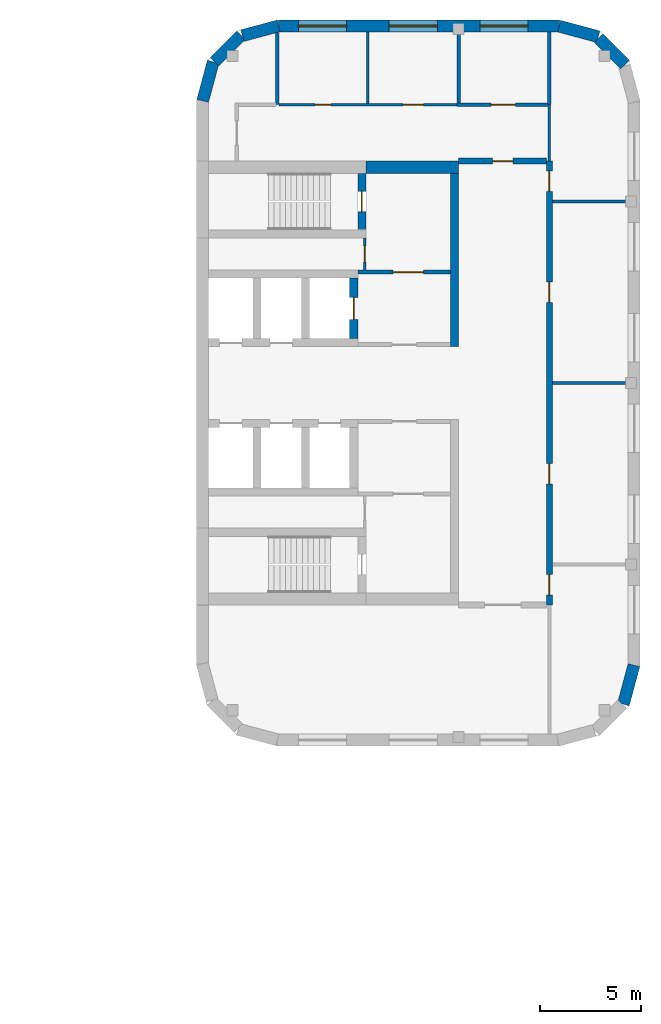
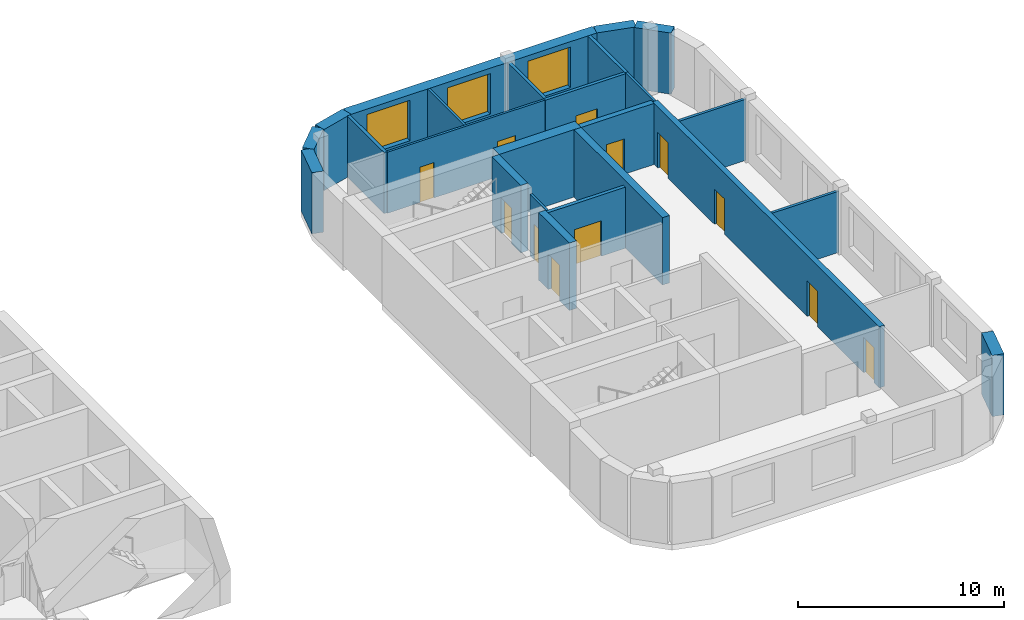
# One storey, part 8 of 13: 24 walls, 12 doors, 3 windows, 15 openings.
"""IFC4 building model written with IfcOpenShell, lengths in metres."""

from ifc_helpers import new_model, si_unit, direction, frame, frame_2d, origin, place, context, subcontext, project, spatial, rectangle, extrude, material, layer, layer_set, type_object, element, fill, save


model = new_model("IFC4")

# Units and contexts
model_context = context("Model", 3, precision=1e-05, world=origin(), true_north=direction((0.0, 1.0)))
body_context = subcontext(model_context, "Body", "Model", "MODEL_VIEW")
ifc_project = project(units=[si_unit("LENGTHUNIT", "METRE"), si_unit("AREAUNIT", "SQUARE_METRE"), si_unit("VOLUMEUNIT", "CUBIC_METRE"), si_unit("PLANEANGLEUNIT", "RADIAN"), si_unit("MASSUNIT", "GRAM", prefix="KILO")], contexts=[model_context])

# Site, building, storey
site_placement = place(None, origin())
site = spatial("IfcSite", under=ifc_project, at=site_placement, CompositionType="ELEMENT")
building_placement = place(site_placement, origin())
building = spatial("IfcBuilding", under=site, at=building_placement, Name="Skarvind Civic Tower", CompositionType="ELEMENT")
storey_placement = place(building_placement, frame((0.0, 0.0, 93.0)))
storey = spatial("IfcBuildingStorey", under=building, at=storey_placement, Name="L21", CompositionType="ELEMENT", Elevation=93.0)

# Walls
ifc_material_1 = material(Name="Acoustic gypsum board on steel studs", Category="steel")
ifc_layer_1 = layer(ifc_material_1, 0.175048828125)
ifc_layer_set_1 = layer_set([ifc_layer_1], Name="ACOUSTIC MEETING-ROOM PARTITION 175")
wall_type_1 = type_object("IfcWallType", Name="ACOUSTIC MEETING-ROOM PARTITION 175", PredefinedType="PARTITIONING", material=ifc_layer_set_1)
wall_1_placement = place(storey_placement, frame((131.0, 145.37890625, 0.0), z_axis=(0.0, 0.0, 1.0), x_axis=(0.0, -1.0, 0.0)))
element("IfcWall", 1, at=wall_1_placement, inside=storey, type_object=wall_type_1, Name="Partition 21.004", PredefinedType="PARTITIONING", context=body_context, shape_type="SweptSolid", body=[
    extrude(rectangle(XDim=3.578857421875, YDim=0.175048828125, at=frame_2d((1.78955078125, 0.0))), origin(), (0.0, 0.0, 1.0), 3.625),
])
wall_2_placement = place(storey_placement, frame((140.0, 141.887939453125, 0.0), z_axis=(0.0, 0.0, 1.0), x_axis=(0.0, 1.0, 0.0)))
element("IfcWall", 2, at=wall_2_placement, inside=storey, type_object=wall_type_1, Name="Partition 21.007", PredefinedType="PARTITIONING", context=body_context, shape_type="SweptSolid", body=[
    extrude(rectangle(XDim=3.511962890625, YDim=0.175048828125, at=frame_2d((1.755859375, 0.0))), origin(), (0.0, 0.0, 1.0), 3.625),
])

# Wall, opening, door
wall_3_placement = place(storey_placement, frame((139.912109375, 141.800048828125, 0.0), z_axis=(0.0, 0.0, 1.0), x_axis=(1.0, 0.0, 0.0)))
wall_3 = element("IfcWall", 3, at=wall_3_placement, inside=storey, type_object=wall_type_1, Name="Partition 21.008", PredefinedType="PARTITIONING", context=body_context, shape_type="SweptSolid", body=[
    extrude(rectangle(XDim=4.5, YDim=0.175048828125, at=frame_2d((2.25, 0.0))), origin(), (0.0, 0.0, 1.0), 3.625),
])
opening_1_placement = place(wall_3_placement, frame((1.7041015625, 0.0, 0.0)))
opening_1 = element("IfcOpeningElement", 4, at=opening_1_placement, cuts=wall_3, Name="Opening L21-D109", PredefinedType="OPENING", context=body_context, shape_type="SweptSolid", body=[
    extrude(rectangle(XDim=1.199951171875, YDim=2.10009765625, at=frame_2d((0.60009765625, 1.050048828125))), frame((0.0, 0.097412109375, 0.0), z_axis=(0.0, -1.0, 0.0), x_axis=(1.0, 0.0, 0.0)), (0.0, 0.0, 1.0), 0.195068359375),
])
ifc_material_2 = material(Name="Timber door leaf", Category="wood")
door_type_1 = type_object("IfcDoorType", Name="DOOR 1200X2100 DOUBLE TIMBER", OperationType="NOTDEFINED", PredefinedType="DOOR", material=ifc_material_2)
door_1_placement = place(opening_1_placement, origin())
door_1 = element("IfcDoor", 5, at=door_1_placement, inside=storey, type_object=door_type_1, Name="Door L21-D109", OperationType="DOUBLE_DOOR_SINGLE_SWING", OverallHeight=2.10009765625, OverallWidth=1.199951171875, PredefinedType="DOOR", context=body_context, shape_type="SweptSolid", body=[
    extrude(rectangle(XDim=1.199951171875, YDim=2.10009765625, at=frame_2d((0.60009765625, 1.050048828125))), frame((0.0, 0.02490234375, 0.0), z_axis=(0.0, -1.0, 0.0), x_axis=(1.0, 0.0, 0.0)), (0.0, 0.0, 1.0), 0.050048828125),
])
fill(opening_1, door_1)

# Wall
wall_4_placement = place(storey_placement, frame((144.5, 141.800048828125, 0.0), z_axis=(0.0, 0.0, 1.0), x_axis=(0.0, 1.0, 0.0)))
element("IfcWall", 6, at=wall_4_placement, inside=storey, type_object=wall_type_1, Name="Partition 21.016", PredefinedType="PARTITIONING", context=body_context, shape_type="SweptSolid", body=[
    extrude(rectangle(XDim=3.599853515625, YDim=0.175048828125, at=frame_2d((1.7998046875, 0.0))), origin(), (0.0, 0.0, 1.0), 3.625),
])

# Wall, opening, door
ifc_material_3 = material(Name="Fire-rated gypsum board on steel studs", Category="steel")
ifc_layer_2 = layer(ifc_material_3, 0.300048828125)
ifc_layer_set_2 = layer_set([ifc_layer_2], Name="CORRIDOR WALL 300")
wall_type_2 = type_object("IfcWallType", Name="CORRIDOR WALL 300", PredefinedType="PARTITIONING", material=ifc_layer_set_2)
wall_5_placement = place(storey_placement, frame((144.35009765625, 139.0, 0.0), z_axis=(0.0, 0.0, 1.0), x_axis=(-1.0, 0.0, 0.0)))
wall_5 = element("IfcWall", 7, at=wall_5_placement, inside=storey, type_object=wall_type_2, Name="Partition 21.006", PredefinedType="PARTITIONING", context=body_context, shape_type="SweptSolid", body=[
    extrude(rectangle(XDim=4.35009765625, YDim=0.300048828125, at=frame_2d((2.175048828125, 0.0))), origin(), (0.0, 0.0, 1.0), 3.625),
])
opening_2_placement = place(wall_5_placement, frame((1.66650390625, 0.0, 0.0)))
opening_2 = element("IfcOpeningElement", 8, at=opening_2_placement, cuts=wall_5, Name="Opening L21-D106", PredefinedType="OPENING", context=body_context, shape_type="SweptSolid", body=[
    extrude(rectangle(XDim=1.0, YDim=2.10009765625, at=frame_2d((0.5, 1.050048828125))), frame((0.0, 0.159912109375, 0.0), z_axis=(0.0, -1.0, 0.0), x_axis=(1.0, 0.0, 0.0)), (0.0, 0.0, 1.0), 0.320068359375),
])
ifc_material_4 = material(Name="Fire-rated timber door leaf", Category="wood")
door_type_2 = type_object("IfcDoorType", Name="FD1 1000x2100", OperationType="NOTDEFINED", PredefinedType="DOOR", material=ifc_material_4)
door_2_placement = place(opening_2_placement, origin())
door_2 = element("IfcDoor", 9, at=door_2_placement, inside=storey, type_object=door_type_2, Name="Door L21-D106", OperationType="SINGLE_SWING_LEFT", OverallHeight=2.10009765625, OverallWidth=1.0, PredefinedType="DOOR", context=body_context, shape_type="SweptSolid", body=[
    extrude(rectangle(XDim=1.0, YDim=2.10009765625, at=frame_2d((0.5, 1.050048828125))), frame((0.0, 0.02490234375, 0.0), z_axis=(0.0, -1.0, 0.0), x_axis=(1.0, 0.0, 0.0)), (0.0, 0.0, 1.0), 0.050048828125),
])
fill(opening_2, door_2)

# Wall, openings, doors
wall_6_placement = place(storey_placement, frame((144.5, 139.0, 0.0), z_axis=(0.0, 0.0, 1.0), x_axis=(0.0, -1.0, 0.0)))
wall_6 = element("IfcWall", 10, at=wall_6_placement, inside=storey, type_object=wall_type_2, Name="Partition 21.014", PredefinedType="PARTITIONING", context=body_context, shape_type="SweptSolid", body=[
    extrude(rectangle(XDim=22.0, YDim=0.300048828125, at=frame_2d((11.0, 0.0))), origin(), (0.0, 0.0, 1.0), 3.625),
])
opening_3_placement = place(wall_6_placement, frame((20.50146484375, 0.0, 0.0)))
opening_3 = element("IfcOpeningElement", 11, at=opening_3_placement, cuts=wall_6, Name="Opening L21-D101", PredefinedType="OPENING", context=body_context, shape_type="SweptSolid", body=[
    extrude(rectangle(XDim=1.0, YDim=2.10009765625, at=frame_2d((0.5, 1.050048828125))), frame((0.0, 0.159912109375, 0.0), z_axis=(0.0, -1.0, 0.0), x_axis=(1.0, 0.0, 0.0)), (0.0, 0.0, 1.0), 0.320068359375),
])
opening_4_placement = place(wall_6_placement, frame((15.0, 0.0, 0.0)))
opening_4 = element("IfcOpeningElement", 12, at=opening_4_placement, cuts=wall_6, Name="Opening L21-D102", PredefinedType="OPENING", context=body_context, shape_type="SweptSolid", body=[
    extrude(rectangle(XDim=1.0, YDim=2.10009765625, at=frame_2d((0.5, 1.050048828125))), frame((0.0, 0.159912109375, 0.0), z_axis=(0.0, -1.0, 0.0), x_axis=(1.0, 0.0, 0.0)), (0.0, 0.0, 1.0), 0.320068359375),
])
opening_5_placement = place(wall_6_placement, frame((6.0, 0.0, 0.0)))
opening_5 = element("IfcOpeningElement", 13, at=opening_5_placement, cuts=wall_6, Name="Opening L21-D103", PredefinedType="OPENING", context=body_context, shape_type="SweptSolid", body=[
    extrude(rectangle(XDim=1.0, YDim=2.10009765625, at=frame_2d((0.5, 1.050048828125))), frame((0.0, 0.159912109375, 0.0), z_axis=(0.0, -1.0, 0.0), x_axis=(1.0, 0.0, 0.0)), (0.0, 0.0, 1.0), 0.320068359375),
])
opening_6_placement = place(wall_6_placement, frame((0.49853515625, 0.0, 0.0)))
opening_6 = element("IfcOpeningElement", 14, at=opening_6_placement, cuts=wall_6, Name="Opening L21-D104", PredefinedType="OPENING", context=body_context, shape_type="SweptSolid", body=[
    extrude(rectangle(XDim=1.0, YDim=2.10009765625, at=frame_2d((0.5, 1.050048828125))), frame((0.0, 0.159912109375, 0.0), z_axis=(0.0, -1.0, 0.0), x_axis=(1.0, 0.0, 0.0)), (0.0, 0.0, 1.0), 0.320068359375),
])
door_3_placement = place(opening_3_placement, origin())
door_3 = element("IfcDoor", 15, at=door_3_placement, inside=storey, type_object=door_type_2, Name="Door L21-D101", OperationType="SINGLE_SWING_LEFT", OverallHeight=2.10009765625, OverallWidth=1.0, PredefinedType="DOOR", context=body_context, shape_type="SweptSolid", body=[
    extrude(rectangle(XDim=1.0, YDim=2.10009765625, at=frame_2d((0.5, 1.050048828125))), frame((0.0, 0.02490234375, 0.0), z_axis=(0.0, -1.0, 0.0), x_axis=(1.0, 0.0, 0.0)), (0.0, 0.0, 1.0), 0.050048828125),
])
fill(opening_3, door_3)
door_4_placement = place(opening_4_placement, origin())
door_4 = element("IfcDoor", 16, at=door_4_placement, inside=storey, type_object=door_type_2, Name="Door L21-D102", OperationType="SINGLE_SWING_LEFT", OverallHeight=2.10009765625, OverallWidth=1.0, PredefinedType="DOOR", context=body_context, shape_type="SweptSolid", body=[
    extrude(rectangle(XDim=1.0, YDim=2.10009765625, at=frame_2d((0.5, 1.050048828125))), frame((0.0, 0.02490234375, 0.0), z_axis=(0.0, -1.0, 0.0), x_axis=(1.0, 0.0, 0.0)), (0.0, 0.0, 1.0), 0.050048828125),
])
fill(opening_4, door_4)
door_5_placement = place(opening_5_placement, origin())
door_5 = element("IfcDoor", 17, at=door_5_placement, inside=storey, type_object=door_type_2, Name="Door L21-D103", OperationType="SINGLE_SWING_LEFT", OverallHeight=2.10009765625, OverallWidth=1.0, PredefinedType="DOOR", context=body_context, shape_type="SweptSolid", body=[
    extrude(rectangle(XDim=1.0, YDim=2.10009765625, at=frame_2d((0.5, 1.050048828125))), frame((0.0, 0.02490234375, 0.0), z_axis=(0.0, -1.0, 0.0), x_axis=(1.0, 0.0, 0.0)), (0.0, 0.0, 1.0), 0.050048828125),
])
fill(opening_5, door_5)
door_6_placement = place(opening_6_placement, origin())
door_6 = element("IfcDoor", 18, at=door_6_placement, inside=storey, type_object=door_type_2, Name="Door L21-D104", OperationType="SINGLE_SWING_LEFT", OverallHeight=2.10009765625, OverallWidth=1.0, PredefinedType="DOOR", context=body_context, shape_type="SweptSolid", body=[
    extrude(rectangle(XDim=1.0, YDim=2.10009765625, at=frame_2d((0.5, 1.050048828125))), frame((0.0, 0.02490234375, 0.0), z_axis=(0.0, -1.0, 0.0), x_axis=(1.0, 0.0, 0.0)), (0.0, 0.0, 1.0), 0.050048828125),
])
fill(opening_6, door_6)

# Wall, opening, door
ifc_material_5 = material(Name="Fire-rated masonry partition", Category="masonry")
ifc_layer_3 = layer(ifc_material_5, 0.199951171875)
ifc_layer_set_3 = layer_set([ifc_layer_3], Name="Core enclosure wall 200")
wall_type_3 = type_object("IfcWallType", Name="Core enclosure wall 200", PredefinedType="PARTITIONING", material=ifc_layer_set_3)
wall_7_placement = place(storey_placement, frame((135.0, 133.5, 0.0), z_axis=(0.0, 0.0, 1.0), x_axis=(1.0, 0.0, 0.0)))
wall_7 = element("IfcWall", 19, at=wall_7_placement, inside=storey, type_object=wall_type_3, Name="Core wall CA", PredefinedType="PARTITIONING", context=body_context, shape_type="SweptSolid", body=[
    extrude(rectangle(XDim=4.60009765625, YDim=0.199951171875, at=frame_2d((2.300048828125, 0.0))), origin(), (0.0, 0.0, 1.0), 3.625),
])
opening_7_placement = place(wall_7_placement, frame((1.75, 0.0, 0.0)))
opening_7 = element("IfcOpeningElement", 20, at=opening_7_placement, cuts=wall_7, Name="Opening D-L21-CA-07", PredefinedType="OPENING", context=body_context, shape_type="SweptSolid", body=[
    extrude(rectangle(XDim=1.5, YDim=2.10009765625, at=frame_2d((0.75, 1.050048828125))), frame((0.0, 0.10986328125, 0.0), z_axis=(0.0, -1.0, 0.0), x_axis=(1.0, 0.0, 0.0)), (0.0, 0.0, 1.0), 0.219970703125),
])
ifc_material_6 = material(Name="Fire-rated steel door", Category="steel")
door_type_3 = type_object("IfcDoorType", Name="Fire door 1500", OperationType="NOTDEFINED", PredefinedType="DOOR", material=ifc_material_6)
door_7_placement = place(opening_7_placement, origin())
door_7 = element("IfcDoor", 21, at=door_7_placement, inside=storey, type_object=door_type_3, Name="Fire door", OperationType="DOUBLE_DOOR_SINGLE_SWING", OverallHeight=2.10009765625, OverallWidth=1.5, PredefinedType="DOOR", context=body_context, shape_type="SweptSolid", body=[
    extrude(rectangle(XDim=1.5, YDim=2.10009765625, at=frame_2d((0.75, 1.050048828125))), frame((0.0, 0.02490234375, 0.0), z_axis=(0.0, -1.0, 0.0), x_axis=(1.0, 0.0, 0.0)), (0.0, 0.0, 1.0), 0.050048828125),
])
fill(opening_7, door_7)

ifc_material_7 = material(Name="Concrete C80", Category="concrete")
ifc_layer_4 = layer(ifc_material_7, 0.39990234375)
ifc_layer_set_4 = layer_set([ifc_layer_4], Name="Core wall 400 C80")
wall_type_4 = type_object("IfcWallType", Name="Core wall 400 C80", PredefinedType="SHEAR", material=ifc_layer_set_4)
wall_8_placement = place(storey_placement, frame((135.199951171875, 135.60009765625, 0.0), z_axis=(0.0, 0.0, 1.0), x_axis=(0.0, 1.0, 0.0)))
wall_8 = element("IfcWall", 22, at=wall_8_placement, inside=storey, type_object=wall_type_4, Name="Core wall CA north stair end L21", PredefinedType="SHEAR", context=body_context, shape_type="SweptSolid", body=[
    extrude(rectangle(XDim=2.7998046875, YDim=0.39990234375, at=frame_2d((1.39990234375, 0.0))), origin(), (0.0, 0.0, 1.0), 4.0),
])
opening_8_placement = place(wall_8_placement, frame((0.89990234375, 0.0, 0.0)))
opening_8 = element("IfcOpeningElement", 23, at=opening_8_placement, cuts=wall_8, Name="Opening D-L21-CA-08", PredefinedType="OPENING", context=body_context, shape_type="SweptSolid", body=[
    extrude(rectangle(XDim=1.0, YDim=2.10009765625, at=frame_2d((0.5, 1.050048828125))), frame((0.0, 0.2099609375, 0.0), z_axis=(0.0, -1.0, 0.0), x_axis=(1.0, 0.0, 0.0)), (0.0, 0.0, 1.0), 0.419921875),
])
door_type_4 = type_object("IfcDoorType", Name="Fire door 1000", OperationType="NOTDEFINED", PredefinedType="DOOR", material=ifc_material_6)
door_8_placement = place(opening_8_placement, origin())
door_8 = element("IfcDoor", 24, at=door_8_placement, inside=storey, type_object=door_type_4, Name="Fire door", OperationType="SINGLE_SWING_LEFT", OverallHeight=2.10009765625, OverallWidth=1.0, PredefinedType="DOOR", context=body_context, shape_type="SweptSolid", body=[
    extrude(rectangle(XDim=1.0, YDim=2.10009765625, at=frame_2d((0.5, 1.050048828125))), frame((0.0, 0.02490234375, 0.0), z_axis=(0.0, -1.0, 0.0), x_axis=(1.0, 0.0, 0.0)), (0.0, 0.0, 1.0), 0.050048828125),
])
fill(opening_8, door_8)

wall_9_placement = place(storey_placement, frame((134.800048828125, 130.199951171875, 0.0), z_axis=(0.0, 0.0, 1.0), x_axis=(0.0, 1.0, 0.0)))
wall_9 = element("IfcWall", 25, at=wall_9_placement, inside=storey, type_object=wall_type_4, Name="Core wall CA north lift row division 3 L21", PredefinedType="SHEAR", context=body_context, shape_type="SweptSolid", body=[
    extrude(rectangle(XDim=3.0, YDim=0.39990234375, at=frame_2d((1.5, 0.0))), origin(), (0.0, 0.0, 1.0), 4.0),
])
opening_9_placement = place(wall_9_placement, frame((0.949951171875, 0.0, 0.0)))
opening_9 = element("IfcOpeningElement", 26, at=opening_9_placement, cuts=wall_9, Name="Opening LD23303", PredefinedType="OPENING", context=body_context, shape_type="SweptSolid", body=[
    extrude(rectangle(XDim=1.10009765625, YDim=2.10009765625, at=frame_2d((0.550048828125, 1.050048828125))), frame((0.0, 0.2099609375, 0.0), z_axis=(0.0, -1.0, 0.0), x_axis=(1.0, 0.0, 0.0)), (0.0, 0.0, 1.0), 0.419921875),
])
ifc_material_8 = material(Name="Stainless steel landing door", Category="steel")
door_type_5 = type_object("IfcDoorType", Name="Lift landing door 1100", OperationType="DOUBLE_DOOR_SLIDING", PredefinedType="DOOR", material=ifc_material_8)
door_9_placement = place(opening_9_placement, origin())
door_9 = element("IfcDoor", 27, at=door_9_placement, inside=storey, type_object=door_type_5, Name="Lift landing door", OperationType="DOUBLE_DOOR_SLIDING", OverallHeight=2.10009765625, OverallWidth=1.10009765625, PredefinedType="DOOR", context=body_context, shape_type="SweptSolid", body=[
    extrude(rectangle(XDim=1.10009765625, YDim=2.10009765625, at=frame_2d((0.550048828125, 1.050048828125))), frame((0.0, 0.02490234375, 0.0), z_axis=(0.0, -1.0, 0.0), x_axis=(1.0, 0.0, 0.0)), (0.0, 0.0, 1.0), 0.050048828125),
])
fill(opening_9, door_9)

# Walls
wall_10_placement = place(storey_placement, frame((139.800048828125, 129.800048828125, 0.0), z_axis=(0.0, 0.0, 1.0), x_axis=(0.0, 1.0, 0.0)))
element("IfcWall", 28, at=wall_10_placement, inside=storey, type_object=wall_type_4, Name="Core wall CA north inner face L21", PredefinedType="SHEAR", context=body_context, shape_type="SweptSolid", body=[
    extrude(rectangle(XDim=8.599853515625, YDim=0.39990234375, at=frame_2d((4.2998046875, 0.0))), origin(), (0.0, 0.0, 1.0), 4.0),
])
ifc_layer_5 = layer(ifc_material_7, 0.60009765625)
ifc_layer_set_5 = layer_set([ifc_layer_5], Name="Core wall 600 C80")
wall_type_5 = type_object("IfcWallType", Name="Core wall 600 C80", PredefinedType="SHEAR", material=ifc_layer_set_5)
wall_11_placement = place(storey_placement, frame((135.39990234375, 138.699951171875, 0.0), z_axis=(0.0, 0.0, 1.0), x_axis=(1.0, 0.0, 0.0)))
element("IfcWall", 29, at=wall_11_placement, inside=storey, type_object=wall_type_5, Name="Core wall CA north side L21", PredefinedType="SHEAR", context=body_context, shape_type="SweptSolid", body=[
    extrude(rectangle(XDim=4.60009765625, YDim=0.60009765625, at=frame_2d((2.300048828125, 0.0))), origin(), (0.0, 0.0, 1.0), 4.0),
])
ifc_material_9 = material(Name="Plasterboard partition on steel studs", Category="steel")
ifc_layer_6 = layer(ifc_material_9, 0.14990234375)
ifc_layer_set_6 = layer_set([ifc_layer_6], Name="PARTITION 150")
wall_type_6 = type_object("IfcWallType", Name="PARTITION 150", PredefinedType="PARTITIONING", material=ifc_layer_set_6)
for number, where, z_axis, x_axis, name in (
    (30, (144.64990234375, 128.0, 0.0), (0.0, 0.0, 1.0), (1.0, 0.0, 0.0), "Partition 21.012"),
    (31, (144.64990234375, 137.0, 0.0), (0.0, 0.0, 1.0), (1.0, 0.0, 0.0), "Partition 21.013"),
):
    element("IfcWall", number, at=place(storey_placement, frame(where, z_axis=z_axis, x_axis=x_axis)), inside=storey, type_object=wall_type_6, Name=name, PredefinedType="PARTITIONING", context=body_context, shape_type="SweptSolid", body=[
        extrude(rectangle(XDim=3.75, YDim=0.14990234375, at=frame_2d((1.875, 0.0))), origin(), (0.0, 0.0, 1.0), 3.625),
    ])

# Wall, opening, door
ifc_layer_7 = layer(ifc_material_5, 0.125)
ifc_layer_set_7 = layer_set([ifc_layer_7], Name="Riser wall 125")
wall_type_7 = type_object("IfcWallType", Name="Riser wall 125", PredefinedType="PARTITIONING", material=ifc_layer_set_7)
wall_12_placement = place(storey_placement, frame((135.33740234375, 135.199951171875, 0.0), z_axis=(0.0, 0.0, 1.0), x_axis=(0.0, -1.0, 0.0)))
wall_12 = element("IfcWall", 32, at=wall_12_placement, inside=storey, type_object=wall_type_7, Name="Core wall CA", PredefinedType="PARTITIONING", context=body_context, shape_type="SweptSolid", body=[
    extrude(rectangle(XDim=1.599853515625, YDim=0.125, at=frame_2d((0.7998046875, 0.0))), origin(), (0.0, 0.0, 1.0), 3.625),
])
opening_10_placement = place(wall_12_placement, frame((0.39990234375, 0.0, 0.0)))
opening_10 = element("IfcOpeningElement", 33, at=opening_10_placement, cuts=wall_12, Name="Opening D-L21-CA-09", PredefinedType="OPENING", context=body_context, shape_type="SweptSolid", body=[
    extrude(rectangle(XDim=0.800048828125, YDim=2.10009765625, at=frame_2d((0.39990234375, 1.050048828125))), frame((0.0, 0.072509765625, 0.0), z_axis=(0.0, -1.0, 0.0), x_axis=(1.0, 0.0, 0.0)), (0.0, 0.0, 1.0), 0.14501953125),
])
door_type_6 = type_object("IfcDoorType", Name="Core riser door 800", OperationType="NOTDEFINED", PredefinedType="DOOR", material=ifc_material_6)
door_10_placement = place(opening_10_placement, origin())
door_10 = element("IfcDoor", 34, at=door_10_placement, inside=storey, type_object=door_type_6, Name="Riser door", OperationType="SINGLE_SWING_RIGHT", OverallHeight=2.10009765625, OverallWidth=0.800048828125, PredefinedType="DOOR", context=body_context, shape_type="SweptSolid", body=[
    extrude(rectangle(XDim=0.800048828125, YDim=2.10009765625, at=frame_2d((0.39990234375, 1.050048828125))), frame((0.0, 0.02490234375, 0.0), z_axis=(0.0, -1.0, 0.0), x_axis=(1.0, 0.0, 0.0)), (0.0, 0.0, 1.0), 0.050048828125),
])
fill(opening_10, door_10)

# Wall, openings, doors
ifc_material_10 = material(Name="Moisture-resistant gypsum board on steel studs", Category="steel")
ifc_layer_8 = layer(ifc_material_10, 0.125)
ifc_layer_set_8 = layer_set([ifc_layer_8], Name="WC PARTITION 125")
wall_type_8 = type_object("IfcWallType", Name="WC PARTITION 125", PredefinedType="PARTITIONING", material=ifc_layer_set_8)
wall_13_placement = place(storey_placement, frame((131.0849609375, 141.800048828125, 0.0), z_axis=(0.0, 0.0, 1.0), x_axis=(1.0, 0.0, 0.0)))
wall_13 = element("IfcWall", 35, at=wall_13_placement, inside=storey, type_object=wall_type_8, Name="Partition 21.003", PredefinedType="PARTITIONING", context=body_context, shape_type="SweptSolid", body=[
    extrude(rectangle(XDim=8.91796875, YDim=0.125, at=frame_2d((4.458984375, 0.0))), origin(), (0.0, 0.0, 1.0), 3.625),
])
opening_11_placement = place(wall_13_placement, frame((6.1650390625, 0.0, 0.0)))
opening_11 = element("IfcOpeningElement", 36, at=opening_11_placement, cuts=wall_13, Name="Opening L21-D107", PredefinedType="OPENING", context=body_context, shape_type="SweptSolid", body=[
    extrude(rectangle(XDim=1.0, YDim=2.10009765625, at=frame_2d((0.5, 1.050048828125))), frame((0.0, 0.072509765625, 0.0), z_axis=(0.0, -1.0, 0.0), x_axis=(1.0, 0.0, 0.0)), (0.0, 0.0, 1.0), 0.14501953125),
])
opening_12_placement = place(wall_13_placement, frame((1.797607421875, 0.0, 0.0)))
opening_12 = element("IfcOpeningElement", 37, at=opening_12_placement, cuts=wall_13, Name="Opening L21-D108", PredefinedType="OPENING", context=body_context, shape_type="SweptSolid", body=[
    extrude(rectangle(XDim=0.800048828125, YDim=2.10009765625, at=frame_2d((0.39990234375, 1.050048828125))), frame((0.0, 0.072509765625, 0.0), z_axis=(0.0, -1.0, 0.0), x_axis=(1.0, 0.0, 0.0)), (0.0, 0.0, 1.0), 0.14501953125),
])
door_type_7 = type_object("IfcDoorType", Name="D1 1000x2100", OperationType="NOTDEFINED", PredefinedType="DOOR", material=ifc_material_2)
door_11_placement = place(opening_11_placement, origin())
door_11 = element("IfcDoor", 38, at=door_11_placement, inside=storey, type_object=door_type_7, Name="Door L21-D107", OperationType="SINGLE_SWING_RIGHT", OverallHeight=2.10009765625, OverallWidth=1.0, PredefinedType="DOOR", context=body_context, shape_type="SweptSolid", body=[
    extrude(rectangle(XDim=1.0, YDim=2.10009765625, at=frame_2d((0.5, 1.050048828125))), frame((0.0, 0.02490234375, 0.0), z_axis=(0.0, -1.0, 0.0), x_axis=(1.0, 0.0, 0.0)), (0.0, 0.0, 1.0), 0.050048828125),
])
fill(opening_11, door_11)
door_type_8 = type_object("IfcDoorType", Name="DOOR 800X2100 TIMBER", OperationType="NOTDEFINED", PredefinedType="DOOR", material=ifc_material_2)
door_12_placement = place(opening_12_placement, origin())
door_12 = element("IfcDoor", 39, at=door_12_placement, inside=storey, type_object=door_type_8, Name="Door L21-D108", OperationType="SINGLE_SWING_LEFT", OverallHeight=2.10009765625, OverallWidth=0.800048828125, PredefinedType="DOOR", context=body_context, shape_type="SweptSolid", body=[
    extrude(rectangle(XDim=0.800048828125, YDim=2.10009765625, at=frame_2d((0.39990234375, 1.050048828125))), frame((0.0, 0.02490234375, 0.0), z_axis=(0.0, -1.0, 0.0), x_axis=(1.0, 0.0, 0.0)), (0.0, 0.0, 1.0), 0.050048828125),
])
fill(opening_12, door_12)

# Walls
wall_14_placement = place(storey_placement, frame((135.5, 141.862060546875, 0.0), z_axis=(0.0, 0.0, 1.0), x_axis=(0.0, 1.0, 0.0)))
element("IfcWall", 40, at=wall_14_placement, inside=storey, type_object=wall_type_8, Name="Partition 21.005", PredefinedType="PARTITIONING", context=body_context, shape_type="SweptSolid", body=[
    extrude(rectangle(XDim=3.537841796875, YDim=0.125, at=frame_2d((1.76904296875, 0.0))), origin(), (0.0, 0.0, 1.0), 3.625),
])
wall_15_placement = place(storey_placement, frame((144.5, 141.800048828125, 0.0), z_axis=(0.0, 0.0, 1.0), x_axis=(0.0, -1.0, 0.0)))
element("IfcWall", 41, at=wall_15_placement, inside=storey, type_object=wall_type_8, Name="Partition 21.015", PredefinedType="PARTITIONING", context=body_context, shape_type="SweptSolid", body=[
    extrude(rectangle(XDim=2.800048828125, YDim=0.125, at=frame_2d((1.39990234375, 0.0))), origin(), (0.0, 0.0, 1.0), 3.625),
])

# Wall, openings, windows
ifc_material_11 = material(Name="Limestone masonry cladding on insulated backing", Category="masonry")
ifc_layer_9 = layer(ifc_material_11, 0.60009765625)
ifc_layer_set_9 = layer_set([ifc_layer_9], Name="WX1 STONE FACADE WALL 600")
wall_type_9 = type_object("IfcWallType", Name="WX1 STONE FACADE WALL 600", PredefinedType="SOLIDWALL", material=ifc_layer_set_9)
wall_16_placement = place(storey_placement, frame((131.070068359375, 145.699951171875, 0.0), z_axis=(0.0, 0.0, 1.0), x_axis=(1.0, 0.0, 0.0)))
wall_16 = element("IfcWall", 42, at=wall_16_placement, inside=storey, type_object=wall_type_9, Name="STONE FACADE WALL", PredefinedType="SOLIDWALL", context=body_context, shape_type="SweptSolid", body=[
    extrude(rectangle(XDim=13.929931640625, YDim=0.60009765625, at=frame_2d((6.96484375, 0.0))), origin(), (0.0, 0.0, 1.0), 3.625),
])
opening_13_placement = place(wall_16_placement, frame((0.97998046875, 0.0, 0.89990234375)))
opening_13 = element("IfcOpeningElement", 43, at=opening_13_placement, cuts=wall_16, Name="Opening WN9", PredefinedType="OPENING", context=body_context, shape_type="SweptSolid", body=[
    extrude(rectangle(XDim=2.39990234375, YDim=2.39990234375, at=frame_2d((1.199951171875, 1.199951171875))), frame((0.0, 0.31005859375, 0.0), z_axis=(0.0, -1.0, 0.0), x_axis=(1.0, 0.0, 0.0)), (0.0, 0.0, 1.0), 0.6201171875),
])
opening_14_placement = place(wall_16_placement, frame((5.47998046875, 0.0, 0.89990234375)))
opening_14 = element("IfcOpeningElement", 44, at=opening_14_placement, cuts=wall_16, Name="Opening WN9", PredefinedType="OPENING", context=body_context, shape_type="SweptSolid", body=[
    extrude(rectangle(XDim=2.39990234375, YDim=2.39990234375, at=frame_2d((1.199951171875, 1.199951171875))), frame((0.0, 0.31005859375, 0.0), z_axis=(0.0, -1.0, 0.0), x_axis=(1.0, 0.0, 0.0)), (0.0, 0.0, 1.0), 0.6201171875),
])
opening_15_placement = place(wall_16_placement, frame((9.97998046875, 0.0, 0.89990234375)))
opening_15 = element("IfcOpeningElement", 45, at=opening_15_placement, cuts=wall_16, Name="Opening WN9", PredefinedType="OPENING", context=body_context, shape_type="SweptSolid", body=[
    extrude(rectangle(XDim=2.39990234375, YDim=2.39990234375, at=frame_2d((1.199951171875, 1.199951171875))), frame((0.0, 0.31005859375, 0.0), z_axis=(0.0, -1.0, 0.0), x_axis=(1.0, 0.0, 0.0)), (0.0, 0.0, 1.0), 0.6201171875),
])
ifc_material_12 = material(Name="Timber frame, double glazing, timber-lined reveal", Category="wood")
window_type = type_object("IfcWindowType", Name="WN9 COMPANION TOWER WINDOW 2400 x 2400", PartitioningType="SINGLE_PANEL", PredefinedType="WINDOW", material=ifc_material_12)
window_1_placement = place(opening_13_placement, origin())
window_1 = element("IfcWindow", 46, at=window_1_placement, inside=storey, type_object=window_type, Name="WN9 WINDOW", OverallHeight=2.39990234375, OverallWidth=2.39990234375, PartitioningType="SINGLE_PANEL", PredefinedType="WINDOW", context=body_context, shape_type="SweptSolid", body=[
    extrude(rectangle(XDim=2.39990234375, YDim=2.39990234375, at=frame_2d((1.199951171875, 1.199951171875))), frame((0.0, 0.030029296875, 0.0), z_axis=(0.0, -1.0, 0.0), x_axis=(1.0, 0.0, 0.0)), (0.0, 0.0, 1.0), 0.06005859375),
])
fill(opening_13, window_1)
window_2_placement = place(opening_14_placement, origin())
window_2 = element("IfcWindow", 47, at=window_2_placement, inside=storey, type_object=window_type, Name="WN9 WINDOW", OverallHeight=2.39990234375, OverallWidth=2.39990234375, PartitioningType="SINGLE_PANEL", PredefinedType="WINDOW", context=body_context, shape_type="SweptSolid", body=[
    extrude(rectangle(XDim=2.39990234375, YDim=2.39990234375, at=frame_2d((1.199951171875, 1.199951171875))), frame((0.0, 0.030029296875, 0.0), z_axis=(0.0, -1.0, 0.0), x_axis=(1.0, 0.0, 0.0)), (0.0, 0.0, 1.0), 0.06005859375),
])
fill(opening_14, window_2)
window_3_placement = place(opening_15_placement, origin())
window_3 = element("IfcWindow", 48, at=window_3_placement, inside=storey, type_object=window_type, Name="WN9 WINDOW", OverallHeight=2.39990234375, OverallWidth=2.39990234375, PartitioningType="SINGLE_PANEL", PredefinedType="WINDOW", context=body_context, shape_type="SweptSolid", body=[
    extrude(rectangle(XDim=2.39990234375, YDim=2.39990234375, at=frame_2d((1.199951171875, 1.199951171875))), frame((0.0, 0.030029296875, 0.0), z_axis=(0.0, -1.0, 0.0), x_axis=(1.0, 0.0, 0.0)), (0.0, 0.0, 1.0), 0.06005859375),
])
fill(opening_15, window_3)

# Walls
for number, where, z_axis, x_axis, name in (
    (49, (129.280517578125, 145.228759765625, 0.0), (0.0, 0.0, 1.0), (0.965938094805, 0.258773254036, 0.0), "STONE FACADE WALL"),
    (50, (127.896484375, 143.936279296875, 0.0), (0.0, 0.0, 1.0), (0.707106781187, 0.707106781187, 0.0), "STONE FACADE WALL"),
):
    element("IfcWall", number, at=place(storey_placement, frame(where, z_axis=z_axis, x_axis=x_axis)), inside=storey, type_object=wall_type_9, Name=name, PredefinedType="SOLIDWALL", context=body_context, shape_type="SweptSolid", body=[
        extrude(rectangle(XDim=1.860595703125, YDim=0.60009765625, at=frame_2d((0.93017578125, 0.0))), origin(), (0.0, 0.0, 1.0), 3.625),
    ])
for number, where, z_axis, x_axis, name in (
    (51, (127.307861328125, 141.989990234375, 0.0), (0.0, 0.0, 1.0), (0.258839784042, 0.965920269068, 0.0), "STONE FACADE WALL"),
    (52, (148.692138671875, 114.010009765625, 0.0), (0.0, 0.0, 1.0), (-0.258839784042, -0.965920269068, 0.0), "STONE FACADE WALL"),
):
    element("IfcWall", number, at=place(storey_placement, frame(where, z_axis=z_axis, x_axis=x_axis)), inside=storey, type_object=wall_type_9, Name=name, PredefinedType="SOLIDWALL", context=body_context, shape_type="SweptSolid", body=[
        extrude(rectangle(XDim=2.00048828125, YDim=0.60009765625, at=frame_2d((1.000244140625, 0.0))), origin(), (0.0, 0.0, 1.0), 3.625),
    ])
wall_17_placement = place(storey_placement, frame((146.936279296875, 145.103515625, 0.0), z_axis=(0.0, 0.0, 1.0), x_axis=(0.707106781187, -0.707106781187, 0.0)))
element("IfcWall", 53, at=wall_17_placement, inside=storey, type_object=wall_type_9, Name="STONE FACADE WALL", PredefinedType="SOLIDWALL", context=body_context, shape_type="SweptSolid", body=[
    extrude(rectangle(XDim=1.860595703125, YDim=0.60009765625, at=frame_2d((0.93017578125, 0.0))), origin(), (0.0, 0.0, 1.0), 3.625),
])
wall_18_placement = place(storey_placement, frame((144.989990234375, 145.692138671875, 0.0), z_axis=(0.0, 0.0, 1.0), x_axis=(0.965920269068, -0.258839784042, 0.0)))
element("IfcWall", 54, at=wall_18_placement, inside=storey, type_object=wall_type_9, Name="STONE FACADE WALL", PredefinedType="SOLIDWALL", context=body_context, shape_type="SweptSolid", body=[
    extrude(rectangle(XDim=2.00048828125, YDim=0.60009765625, at=frame_2d((1.000244140625, 0.0))), origin(), (0.0, 0.0, 1.0), 3.625),
])

save(model, "model.ifc")
